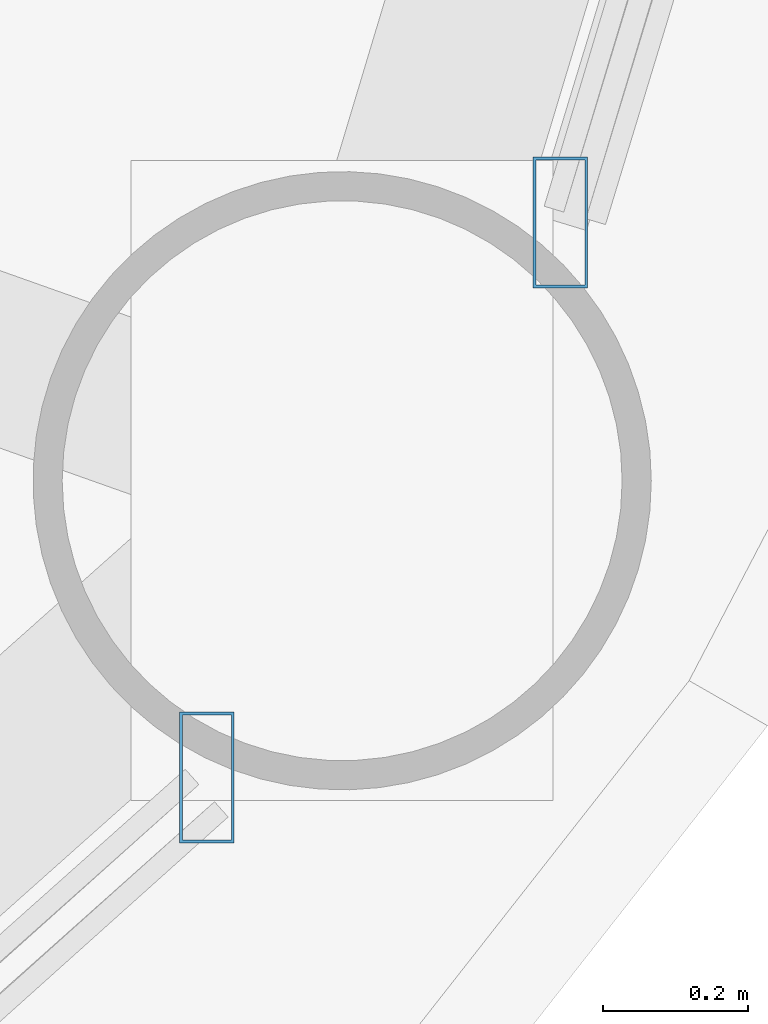
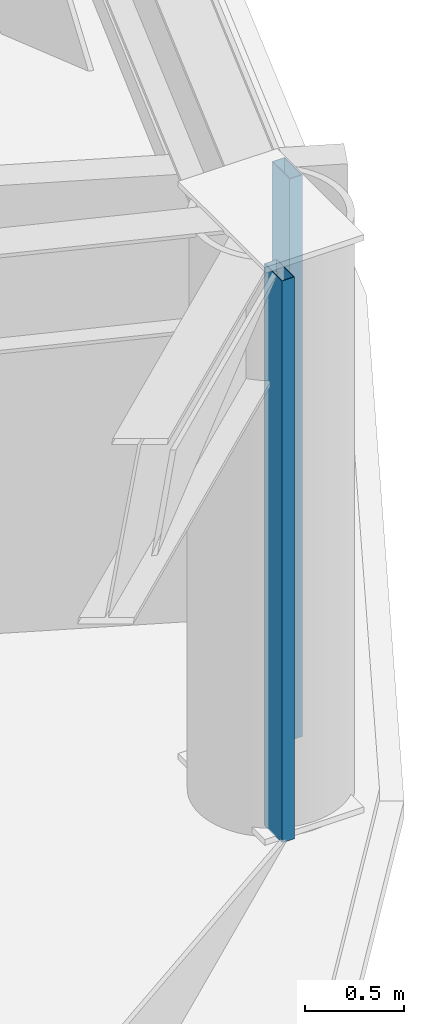
# One storey, part 10 of 29: 2 members, 2 elements without a shape of their own.
"""IFC4 building model written with IfcOpenShell, lengths in metres."""

from ifc_helpers import new_model, si_unit, direction, frame, origin, origin_2d, place, context, subcontext, project, spatial, hollow_rectangle, extrude, material, layer, layer_set, material_profile, profile_set, type_object, element, aggregate, save


model = new_model("IFC4")

# Units and contexts
model_context = context("Model", 3, precision=1e-05, world=origin(), true_north=direction((0.0, 1.0)))
body_context = subcontext(model_context, "Body", "Model", "MODEL_VIEW")
ifc_project = project(units=[si_unit("LENGTHUNIT", "METRE"), si_unit("AREAUNIT", "SQUARE_METRE"), si_unit("VOLUMEUNIT", "CUBIC_METRE"), si_unit("PLANEANGLEUNIT", "RADIAN"), si_unit("MASSUNIT", "GRAM", prefix="KILO")], contexts=[model_context])

# Site, building, storey
site_placement = place(None, origin())
site = spatial("IfcSite", under=ifc_project, at=site_placement, CompositionType="ELEMENT")
building_placement = place(site_placement, origin())
building = spatial("IfcBuilding", under=site, at=building_placement, Name="Vantalir Tower", CompositionType="ELEMENT")
storey_placement = place(building_placement, frame((0.0, 0.0, 60.75)))
storey = spatial("IfcBuildingStorey", under=building, at=storey_placement, Name="L14", CompositionType="ELEMENT", Elevation=60.75)

# Curtain wall, member
ifc_material_1 = material(Name="Champagne-silver PVDF aluminium and double-silver Low-E glass", Category="aluminium")
ifc_layer = layer(ifc_material_1, 0.18994140625)
ifc_layer_set = layer_set([ifc_layer], Name="Champagne-silver PVDF aluminium and double-silver Low-E glass")
curtain_wall_type = type_object("IfcCurtainWallType", Name="CW-DIAMOND-Z1", PredefinedType="USERDEFINED", material=ifc_layer_set)
curtain_wall_1_placement = place(storey_placement, origin())
curtain_wall_1 = element("IfcCurtainWall", 1, at=curtain_wall_1_placement, inside=storey, type_object=curtain_wall_type, Name="L14 Quilted Pyramid-Diamond Curtain Wall S11", ObjectType="UNITISED CURTAIN WALL", PredefinedType="USERDEFINED")
ifc_material_2 = material(Name="Champagne-silver PVDF aluminium 6063-T6", Category="aluminium")
ifc_material_profile = material_profile(ifc_material_2, hollow_rectangle(XDim=0.074951171875, YDim=0.179931640625, WallThickness=0.00390625, at=origin_2d()), Name="Champagne-silver PVDF aluminium 6063-T6")
ifc_profile_set = profile_set([ifc_material_profile], Name="Champagne-silver PVDF aluminium 6063-T6")
member_type = type_object("IfcMemberType", Name="CWM-180x75", PredefinedType="MULLION", material=ifc_profile_set)
member_1_placement = place(storey_placement, frame((55.0869140625, 12.365966796875, 0.044921875), z_axis=(0.0, 0.0, 1.0), x_axis=(1.0, 0.0, 0.0)))
member_1 = element("IfcMember", 2, at=member_1_placement, type_object=member_type, Name="CW-L14-S11 Mullion 2", PredefinedType="MULLION", context=body_context, shape_type="SweptSolid", body=[
    extrude(hollow_rectangle(XDim=0.074951171875, YDim=0.179931640625, WallThickness=0.00390625, at=origin_2d()), origin(), (0.0, 0.0, 1.0), 3.47998046875),
])
aggregate(curtain_wall_1, [member_1])

curtain_wall_2_placement = place(storey_placement, origin())
curtain_wall_2 = element("IfcCurtainWall", 3, at=curtain_wall_2_placement, inside=storey, type_object=curtain_wall_type, Name="L14 Quilted Pyramid-Diamond Curtain Wall S12", ObjectType="UNITISED CURTAIN WALL", PredefinedType="USERDEFINED")
member_2_placement = place(storey_placement, frame((55.572998046875, 13.12890625, 0.044921875), z_axis=(0.0, 0.0, 1.0), x_axis=(1.0, 0.0, 0.0)))
member_2 = element("IfcMember", 4, at=member_2_placement, type_object=member_type, Name="CW-L14-S12 Mullion 1", PredefinedType="MULLION", context=body_context, shape_type="SweptSolid", body=[
    extrude(hollow_rectangle(XDim=0.074951171875, YDim=0.179931640625, WallThickness=0.00390625, at=origin_2d()), origin(), (0.0, 0.0, 1.0), 3.47998046875),
])
aggregate(curtain_wall_2, [member_2])

save(model, "model.ifc")
